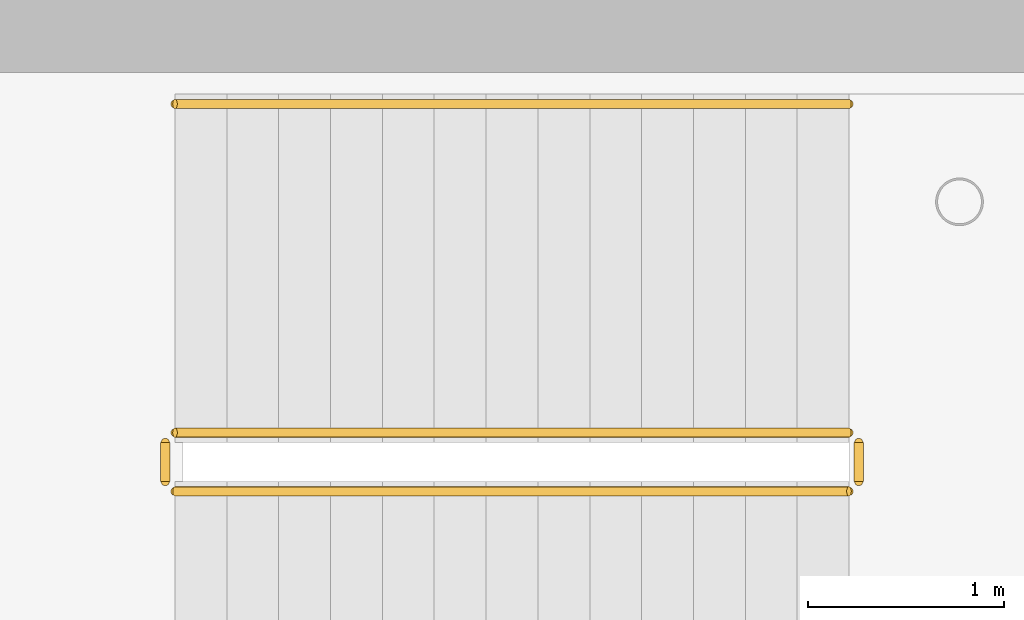
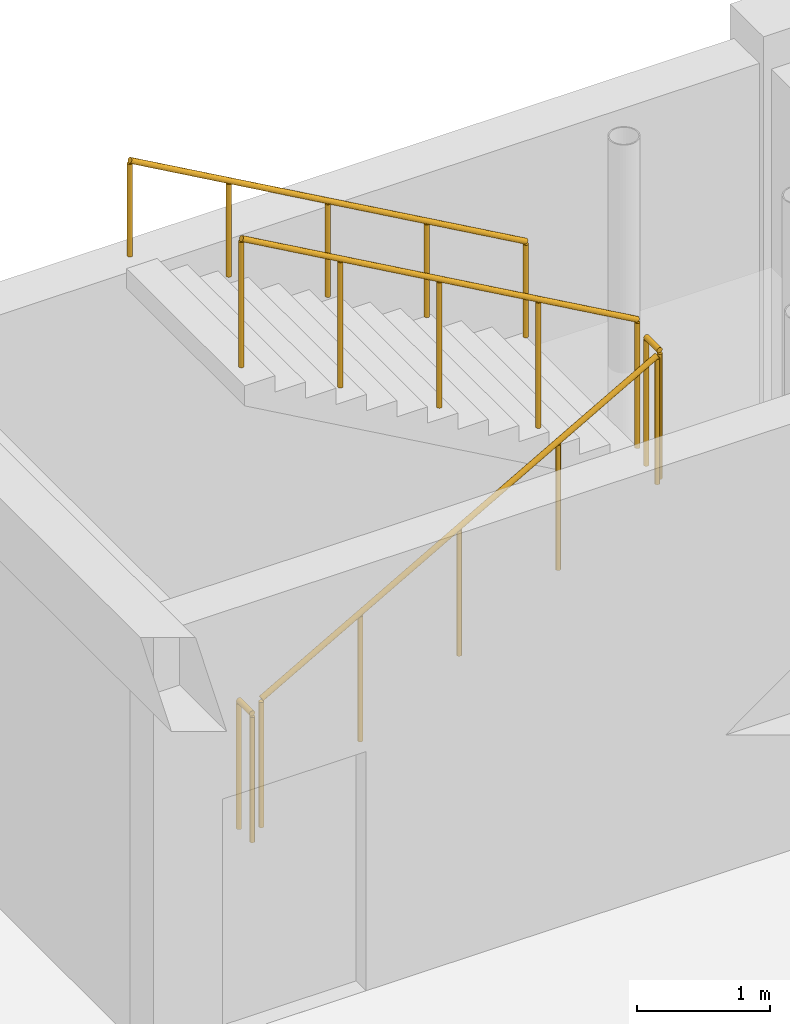
# One storey, part 117 of 121: 5 railings.
"""IFC4 building model written with IfcOpenShell, lengths in metres."""

from ifc_helpers import new_model, si_unit, direction, frame, origin, origin_2d, place, context, subcontext, project, spatial, circle, extrude, material, type_object, element, save


model = new_model("IFC4")

# Units and contexts
model_context = context("Model", 3, precision=1e-05, world=origin(), true_north=direction((0.0, 1.0)))
body_context = subcontext(model_context, "Body", "Model", "MODEL_VIEW")
ifc_project = project(units=[si_unit("LENGTHUNIT", "METRE"), si_unit("AREAUNIT", "SQUARE_METRE"), si_unit("VOLUMEUNIT", "CUBIC_METRE"), si_unit("PLANEANGLEUNIT", "RADIAN"), si_unit("MASSUNIT", "GRAM", prefix="KILO")], contexts=[model_context])

# Site, building, storey
site_placement = place(None, origin())
site = spatial("IfcSite", under=ifc_project, at=site_placement, CompositionType="ELEMENT")
building_placement = place(site_placement, origin())
building = spatial("IfcBuilding", under=site, at=building_placement, Name="Kharva Crest Polytechnic", CompositionType="ELEMENT")
storey_placement = place(building_placement, frame((0.0, 0.0, 13.199951171875)))
storey = spatial("IfcBuildingStorey", under=building, at=storey_placement, Name="L03", CompositionType="ELEMENT", Elevation=13.199951171875)

# Railings
ifc_material_1 = material(Name="Anodised aluminium", Category="aluminium")
railing_type_1 = type_object("IfcRailingType", Name="RL-STAIR-GUARD-1200", PredefinedType="GUARDRAIL", material=ifc_material_1)
railing_1_placement = place(storey_placement, frame((106.090087890625, 119.669921875, 0.150146484375)))
element("IfcRailing", 1, at=railing_1_placement, inside=storey, type_object=railing_type_1, Name="L03 ST-04 stair guard 1", PredefinedType="GUARDRAIL", context=body_context, shape_type="SweptSolid", body=[
    extrude(circle(Radius=0.02392578125, at=origin_2d()), frame((0.0, 0.0, 1.17578125), z_axis=(0.870251367514, 0.0, 0.492607914411), x_axis=(0.0, 1.0, 0.0)), (0.0, 0.0, 1.0), 3.95849609375),
    extrude(circle(Radius=0.02099609375, at=origin_2d()), origin(), (0.0, 0.0, 1.0), 1.15185546875),
    extrude(circle(Radius=0.02099609375, at=origin_2d()), frame((0.861328125, 0.0, 0.487548828125)), (0.0, 0.0, 1.0), 1.15185546875),
    extrude(circle(Radius=0.02099609375, at=origin_2d()), frame((1.722412109375, 0.0, 0.97509765625)), (0.0, 0.0, 1.0), 1.15185546875),
    extrude(circle(Radius=0.02099609375, at=origin_2d()), frame((2.58349609375, 0.0, 1.46240234375)), (0.0, 0.0, 1.0), 1.15185546875),
    extrude(circle(Radius=0.02099609375, at=origin_2d()), frame((3.44482421875, 0.0, 1.949951171875)), (0.0, 0.0, 1.0), 1.15185546875),
])
railing_2_placement = place(storey_placement, frame((109.5849609375, 119.719970703125, 2.10009765625)))
element("IfcRailing", 2, at=railing_2_placement, inside=storey, type_object=railing_type_1, Name="L03 ST-04 stair guard 2", PredefinedType="GUARDRAIL", context=body_context, shape_type="SweptSolid", body=[
    extrude(circle(Radius=0.02392578125, at=origin_2d()), frame((0.0, 0.0, 1.17578125), z_axis=(0.0, 1.0, 0.0), x_axis=(-1.0, 0.0, 0.0)), (0.0, 0.0, 1.0), 0.199951171875),
    extrude(circle(Radius=0.02099609375, at=origin_2d()), origin(), (0.0, 0.0, 1.0), 1.15185546875),
    extrude(circle(Radius=0.02099609375, at=origin_2d()), frame((0.0, 0.199951171875, 0.0)), (0.0, 0.0, 1.0), 1.15185546875),
])
railing_3_placement = place(storey_placement, frame((109.534912109375, 119.969970703125, 2.25)))
element("IfcRailing", 3, at=railing_3_placement, inside=storey, type_object=railing_type_1, Name="L03 ST-04 stair guard 3", PredefinedType="GUARDRAIL", context=body_context, shape_type="SweptSolid", body=[
    extrude(circle(Radius=0.02392578125, at=origin_2d()), frame((0.0, 0.0, 1.17578125), z_axis=(-0.870251367514, 0.0, 0.492607914411), x_axis=(0.0, -1.0, 0.0)), (0.0, 0.0, 1.0), 3.95849609375),
    extrude(circle(Radius=0.02099609375, at=origin_2d()), origin(), (0.0, 0.0, 1.0), 1.15185546875),
    extrude(circle(Radius=0.02099609375, at=origin_2d()), frame((-0.861328125, 0.0, 0.487548828125)), (0.0, 0.0, 1.0), 1.15185546875),
    extrude(circle(Radius=0.02099609375, at=origin_2d()), frame((-1.722412109375, 0.0, 0.97509765625)), (0.0, 0.0, 1.0), 1.15185546875),
    extrude(circle(Radius=0.02099609375, at=origin_2d()), frame((-2.58349609375, 0.0, 1.46240234375)), (0.0, 0.0, 1.0), 1.15185546875),
    extrude(circle(Radius=0.02099609375, at=origin_2d()), frame((-3.44482421875, 0.0, 1.949951171875)), (0.0, 0.0, 1.0), 1.15185546875),
])
railing_4_placement = place(storey_placement, frame((106.0400390625, 119.719970703125, 0.0)))
element("IfcRailing", 4, at=railing_4_placement, inside=storey, type_object=railing_type_1, Name="L03 ST-04 stair guard 4", PredefinedType="GUARDRAIL", context=body_context, shape_type="SweptSolid", body=[
    extrude(circle(Radius=0.02392578125, at=origin_2d()), frame((0.0, 0.0, 1.17578125), z_axis=(0.0, 1.0, 0.0), x_axis=(-1.0, 0.0, 0.0)), (0.0, 0.0, 1.0), 0.199951171875),
    extrude(circle(Radius=0.02099609375, at=origin_2d()), origin(), (0.0, 0.0, 1.0), 1.15185546875),
    extrude(circle(Radius=0.02099609375, at=origin_2d()), frame((0.0, 0.199951171875, 0.0)), (0.0, 0.0, 1.0), 1.15185546875),
])
ifc_material_2 = material(Name="Teak timber", Category="wood")
railing_type_2 = type_object("IfcRailingType", Name="RL-STAIR-HAND-900", PredefinedType="HANDRAIL", material=ifc_material_2)
railing_5_placement = place(storey_placement, frame((109.534912109375, 121.64990234375, 2.25)))
element("IfcRailing", 5, at=railing_5_placement, inside=storey, type_object=railing_type_2, Name="L03 ST-04 stair handrail 2", PredefinedType="HANDRAIL", context=body_context, shape_type="SweptSolid", body=[
    extrude(circle(Radius=0.02392578125, at=origin_2d()), frame((0.0, 0.0, 0.8759765625), z_axis=(-0.870251367514, 0.0, 0.492607914411), x_axis=(0.0, -1.0, 0.0)), (0.0, 0.0, 1.0), 3.95849609375),
    extrude(circle(Radius=0.02099609375, at=origin_2d()), origin(), (0.0, 0.0, 1.0), 0.851806640625),
    extrude(circle(Radius=0.02099609375, at=origin_2d()), frame((-0.861328125, 0.0, 0.487548828125)), (0.0, 0.0, 1.0), 0.851806640625),
    extrude(circle(Radius=0.02099609375, at=origin_2d()), frame((-1.722412109375, 0.0, 0.97509765625)), (0.0, 0.0, 1.0), 0.851806640625),
    extrude(circle(Radius=0.02099609375, at=origin_2d()), frame((-2.58349609375, 0.0, 1.46240234375)), (0.0, 0.0, 1.0), 0.851806640625),
    extrude(circle(Radius=0.02099609375, at=origin_2d()), frame((-3.44482421875, 0.0, 1.949951171875)), (0.0, 0.0, 1.0), 0.851806640625),
])

save(model, "model.ifc")
